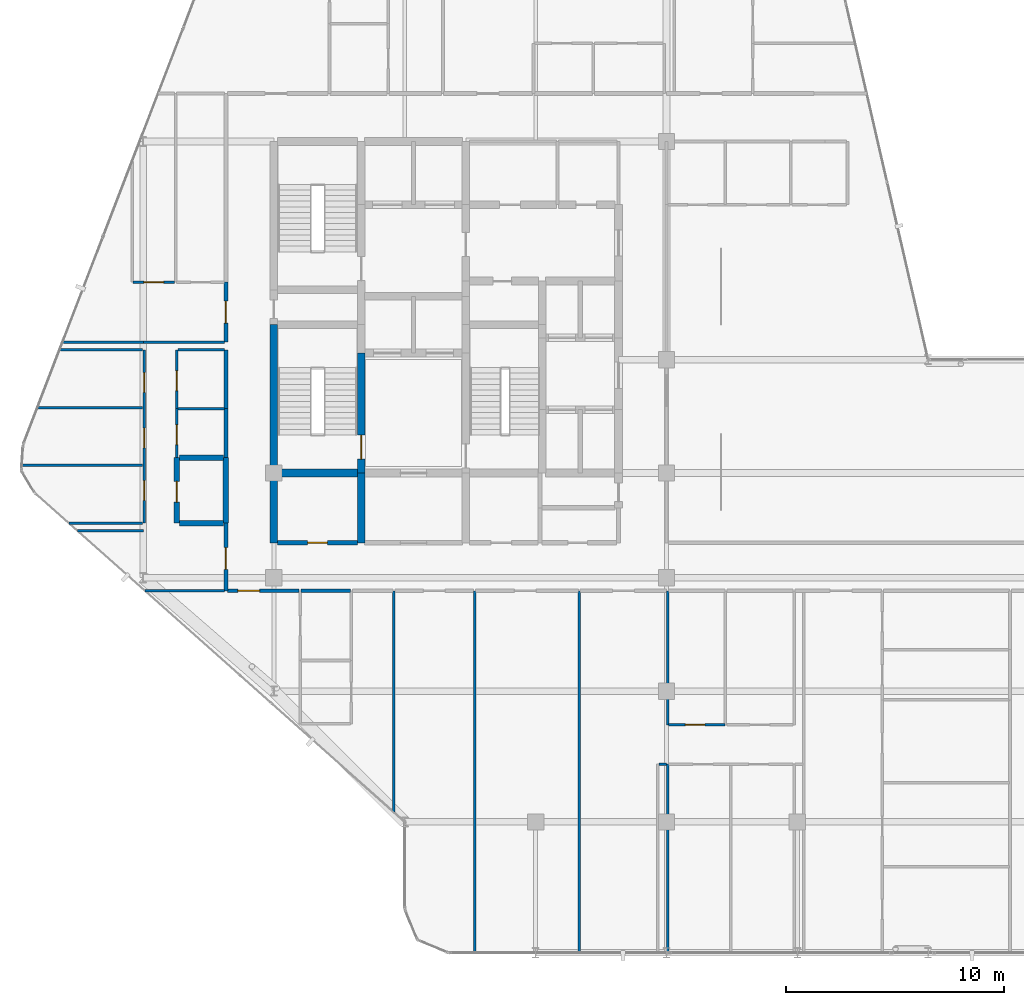
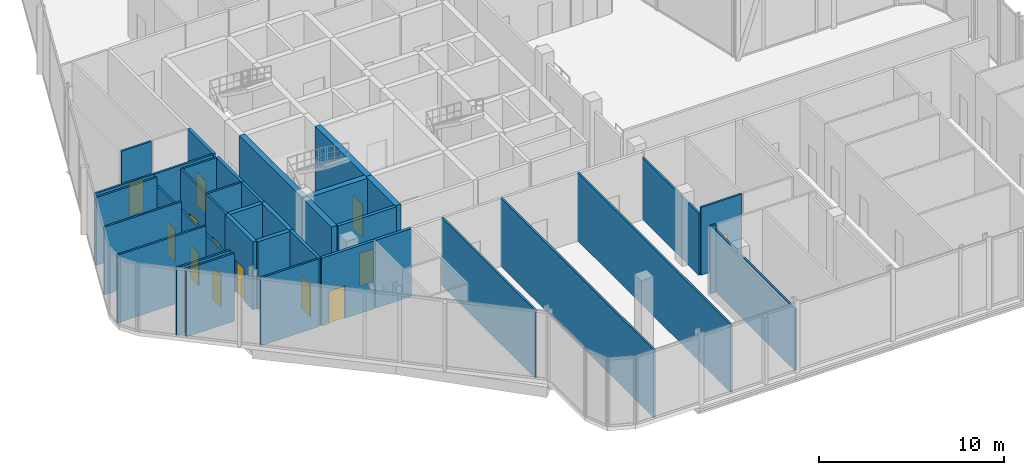
# One storey, part 23 of 29: 37 walls, 13 doors, 13 openings.
"""IFC4 building model written with IfcOpenShell, lengths in metres."""

from ifc_helpers import new_model, si_unit, direction, frame, frame_2d, origin, place, context, subcontext, project, spatial, rectangle, extrude, material, layer, layer_set, type_object, element, fill, save


model = new_model("IFC4")

# Units and contexts
model_context = context("Model", 3, precision=1e-05, world=origin(), true_north=direction((0.0, 1.0)))
body_context = subcontext(model_context, "Body", "Model", "MODEL_VIEW")
ifc_project = project(units=[si_unit("LENGTHUNIT", "METRE"), si_unit("AREAUNIT", "SQUARE_METRE"), si_unit("VOLUMEUNIT", "CUBIC_METRE"), si_unit("PLANEANGLEUNIT", "RADIAN"), si_unit("MASSUNIT", "GRAM", prefix="KILO")], contexts=[model_context])

# Site, building, storey
site_placement = place(None, origin())
site = spatial("IfcSite", under=ifc_project, at=site_placement, CompositionType="ELEMENT")
building_placement = place(site_placement, origin())
building = spatial("IfcBuilding", under=site, at=building_placement, Name="Keshet Zoharim Tower", CompositionType="ELEMENT")
storey_placement = place(building_placement, frame((0.0, 0.0, 218.0)))
storey = spatial("IfcBuildingStorey", under=building, at=storey_placement, Name="L54", CompositionType="ELEMENT", Elevation=218.0)

# Walls
ifc_material_1 = material(Name="Concrete C60/75", Category="concrete")
ifc_layer_1 = layer(ifc_material_1, 0.35009765625)
ifc_layer_set_1 = layer_set([ifc_layer_1], Name="Concrete C60/75")
wall_type_1 = type_object("IfcWallType", Name="WL-CORE-350", PredefinedType="SHEAR", material=ifc_layer_set_1)
wall_1_placement = place(storey_placement, frame((15.0, 19.5, 0.0), z_axis=(0.0, 0.0, 1.0), x_axis=(0.0, 1.0, 0.0)))
element("IfcWall", 1, at=wall_1_placement, inside=storey, type_object=wall_type_1, Name="L54 Core Shear Wall 013", PredefinedType="SHEAR", context=body_context, shape_type="SweptSolid", body=[
    extrude(rectangle(XDim=3.199951171875, YDim=0.35009765625, at=frame_2d((1.60009765625, 0.0))), origin(), (0.0, 0.0, 1.0), 4.489990234375),
])
wall_2_placement = place(storey_placement, frame((15.0, 22.699951171875, 0.0), z_axis=(0.0, 0.0, 1.0), x_axis=(0.0, 1.0, 0.0)))
element("IfcWall", 2, at=wall_2_placement, inside=storey, type_object=wall_type_1, Name="L54 Core Shear Wall 014", PredefinedType="SHEAR", context=body_context, shape_type="SweptSolid", body=[
    extrude(rectangle(XDim=6.800048828125, YDim=0.35009765625, at=frame_2d((3.39990234375, 0.0))), origin(), (0.0, 0.0, 1.0), 4.489990234375),
])
wall_3_placement = place(storey_placement, frame((19.0, 19.5, 0.0), z_axis=(0.0, 0.0, 1.0), x_axis=(0.0, 1.0, 0.0)))
element("IfcWall", 3, at=wall_3_placement, inside=storey, type_object=wall_type_1, Name="L54 Core Shear Wall 023", PredefinedType="SHEAR", context=body_context, shape_type="SweptSolid", body=[
    extrude(rectangle(XDim=3.199951171875, YDim=0.35009765625, at=frame_2d((1.60009765625, 0.0))), origin(), (0.0, 0.0, 1.0), 4.489990234375),
])

# Wall, opening, door
wall_4_placement = place(storey_placement, frame((19.0, 22.699951171875, 0.0), z_axis=(0.0, 0.0, 1.0), x_axis=(0.0, 1.0, 0.0)))
wall_4 = element("IfcWall", 4, at=wall_4_placement, inside=storey, type_object=wall_type_1, Name="L54 Core Shear Wall 024", PredefinedType="SHEAR", context=body_context, shape_type="SweptSolid", body=[
    extrude(rectangle(XDim=5.5, YDim=0.35009765625, at=frame_2d((2.75, 0.0))), origin(), (0.0, 0.0, 1.0), 4.489990234375),
])
opening_1_placement = place(wall_4_placement, frame((0.631103515625, 0.0, 0.0)))
opening_1 = element("IfcOpeningElement", 5, at=opening_1_placement, cuts=wall_4, Name="Opening D-F611", PredefinedType="OPENING", context=body_context, shape_type="SweptSolid", body=[
    extrude(rectangle(XDim=1.10009765625, YDim=2.14990234375, at=frame_2d((0.550048828125, 1.074951171875))), frame((0.0, 0.18505859375, 0.0), z_axis=(0.0, -1.0, 0.0), x_axis=(1.0, 0.0, 0.0)), (0.0, 0.0, 1.0), 0.3701171875),
])
ifc_material_2 = material(Name="Hardwood Timber", Category="wood")
door_type_1 = type_object("IfcDoorType", Name="DR-FD60-110", OperationType="NOTDEFINED", PredefinedType="DOOR", material=ifc_material_2)
door_1_placement = place(opening_1_placement, origin())
door_1 = element("IfcDoor", 6, at=door_1_placement, inside=storey, type_object=door_type_1, Name="L54 Exit Stair ST-01 Fire Door", OperationType="SINGLE_SWING_RIGHT", OverallHeight=2.14990234375, OverallWidth=1.10009765625, PredefinedType="DOOR", context=body_context, shape_type="SweptSolid", body=[
    extrude(rectangle(XDim=1.10009765625, YDim=2.14990234375, at=frame_2d((0.550048828125, 1.074951171875))), frame((0.0, 0.02490234375, 0.0), z_axis=(0.0, -1.0, 0.0), x_axis=(1.0, 0.0, 0.0)), (0.0, 0.0, 1.0), 0.050048828125),
])
fill(opening_1, door_1)

# Wall
wall_5_placement = place(storey_placement, frame((15.159912109375, 22.699951171875, 0.0), z_axis=(0.0, 0.0, 1.0), x_axis=(1.0, 0.0, 0.0)))
element("IfcWall", 7, at=wall_5_placement, inside=storey, type_object=wall_type_1, Name="L54 Core Shear Wall 128", PredefinedType="SHEAR", context=body_context, shape_type="SweptSolid", body=[
    extrude(rectangle(XDim=3.68017578125, YDim=0.35009765625, at=frame_2d((1.840087890625, 0.0))), origin(), (0.0, 0.0, 1.0), 4.489990234375),
])

# Wall, opening, door
ifc_material_3 = material(Name="Gypsum Plasterboard", Category="gypsum")
ifc_layer_2 = layer(ifc_material_3, 0.179931640625)
ifc_layer_set_2 = layer_set([ifc_layer_2], Name="Gypsum Plasterboard")
wall_type_2 = type_object("IfcWallType", Name="WL-CORR-180", PredefinedType="STANDARD", material=ifc_layer_set_2)
wall_6_placement = place(storey_placement, frame((12.800048828125, 17.300048828125, 0.0), z_axis=(0.0, 0.0, 1.0), x_axis=(0.0, 1.0, 0.0)))
wall_6 = element("IfcWall", 8, at=wall_6_placement, inside=storey, type_object=wall_type_2, Name="L54 Interior Wall 007", PredefinedType="STANDARD", context=body_context, shape_type="SweptSolid", body=[
    extrude(rectangle(XDim=3.099853515625, YDim=0.179931640625, at=frame_2d((1.5498046875, 0.0))), origin(), (0.0, 0.0, 1.0), 4.489990234375),
])
opening_2_placement = place(wall_6_placement, frame((0.97802734375, 0.0, 0.0)))
opening_2 = element("IfcOpeningElement", 9, at=opening_2_placement, cuts=wall_6, Name="Opening D-F310", PredefinedType="OPENING", context=body_context, shape_type="SweptSolid", body=[
    extrude(rectangle(XDim=1.0, YDim=2.14990234375, at=frame_2d((0.5, 1.074951171875))), frame((0.0, 0.10009765625, 0.0), z_axis=(0.0, -1.0, 0.0), x_axis=(1.0, 0.0, 0.0)), (0.0, 0.0, 1.0), 0.199951171875),
])
door_type_2 = type_object("IfcDoorType", Name="DR-FD30-100", OperationType="NOTDEFINED", PredefinedType="DOOR", material=ifc_material_2)
door_2_placement = place(opening_2_placement, origin())
door_2 = element("IfcDoor", 10, at=door_2_placement, inside=storey, type_object=door_type_2, Name="Apartment 5408 Entrance Door", OperationType="SINGLE_SWING_RIGHT", OverallHeight=2.14990234375, OverallWidth=1.0, PredefinedType="DOOR", context=body_context, shape_type="SweptSolid", body=[
    extrude(rectangle(XDim=1.0, YDim=2.14990234375, at=frame_2d((0.5, 1.074951171875))), frame((0.0, 0.02490234375, 0.0), z_axis=(0.0, -1.0, 0.0), x_axis=(1.0, 0.0, 0.0)), (0.0, 0.0, 1.0), 0.050048828125),
])
fill(opening_2, door_2)

# Walls
wall_7_placement = place(storey_placement, frame((12.800048828125, 23.4208984375, 0.0), z_axis=(0.0, 0.0, 1.0), x_axis=(0.0, 1.0, 0.0)))
element("IfcWall", 11, at=wall_7_placement, inside=storey, type_object=wall_type_2, Name="L54 Interior Wall 009", PredefinedType="STANDARD", context=body_context, shape_type="SweptSolid", body=[
    extrude(rectangle(XDim=2.22607421875, YDim=0.179931640625, at=frame_2d((1.113037109375, 0.0))), origin(), (0.0, 0.0, 1.0), 4.489990234375),
])
wall_8_placement = place(storey_placement, frame((12.800048828125, 25.64697265625, 0.0), z_axis=(0.0, 0.0, 1.0), x_axis=(0.0, 1.0, 0.0)))
element("IfcWall", 12, at=wall_8_placement, inside=storey, type_object=wall_type_2, Name="L54 Interior Wall 010", PredefinedType="STANDARD", context=body_context, shape_type="SweptSolid", body=[
    extrude(rectangle(XDim=2.703125, YDim=0.179931640625, at=frame_2d((1.3515625, 0.0))), origin(), (0.0, 0.0, 1.0), 4.489990234375),
])

# Wall, opening, door
wall_9_placement = place(storey_placement, frame((12.800048828125, 28.699951171875, 0.0), z_axis=(0.0, 0.0, 1.0), x_axis=(0.0, 1.0, 0.0)))
wall_9 = element("IfcWall", 13, at=wall_9_placement, inside=storey, type_object=wall_type_2, Name="L54 Interior Wall 011", PredefinedType="STANDARD", context=body_context, shape_type="SweptSolid", body=[
    extrude(rectangle(XDim=2.75, YDim=0.179931640625, at=frame_2d((1.375, 0.0))), origin(), (0.0, 0.0, 1.0), 4.489990234375),
])
opening_3_placement = place(wall_9_placement, frame((0.875, 0.0, 0.0)))
opening_3 = element("IfcOpeningElement", 14, at=opening_3_placement, cuts=wall_9, Name="Opening D-F310", PredefinedType="OPENING", context=body_context, shape_type="SweptSolid", body=[
    extrude(rectangle(XDim=1.0, YDim=2.14990234375, at=frame_2d((0.5, 1.074951171875))), frame((0.0, 0.10009765625, 0.0), z_axis=(0.0, -1.0, 0.0), x_axis=(1.0, 0.0, 0.0)), (0.0, 0.0, 1.0), 0.199951171875),
])
door_3_placement = place(opening_3_placement, origin())
door_3 = element("IfcDoor", 15, at=door_3_placement, inside=storey, type_object=door_type_2, Name="Apartment 5409 Entrance Door", OperationType="SINGLE_SWING_LEFT", OverallHeight=2.14990234375, OverallWidth=1.0, PredefinedType="DOOR", context=body_context, shape_type="SweptSolid", body=[
    extrude(rectangle(XDim=1.0, YDim=2.14990234375, at=frame_2d((0.5, 1.074951171875))), frame((0.0, 0.02490234375, 0.0), z_axis=(0.0, -1.0, 0.0), x_axis=(1.0, 0.0, 0.0)), (0.0, 0.0, 1.0), 0.050048828125),
])
fill(opening_3, door_3)

wall_10_placement = place(storey_placement, frame((12.875, 17.300048828125, 0.0), z_axis=(0.0, 0.0, 1.0), x_axis=(1.0, 0.0, 0.0)))
wall_10 = element("IfcWall", 16, at=wall_10_placement, inside=storey, type_object=wall_type_2, Name="L54 Interior Wall 107", PredefinedType="STANDARD", context=body_context, shape_type="SweptSolid", body=[
    extrude(rectangle(XDim=3.280029296875, YDim=0.179931640625, at=frame_2d((1.64013671875, 0.0))), origin(), (0.0, 0.0, 1.0), 4.489990234375),
])
opening_4_placement = place(wall_10_placement, frame((0.470947265625, 0.0, 0.0)))
opening_4 = element("IfcOpeningElement", 17, at=opening_4_placement, cuts=wall_10, Name="Opening D-F310", PredefinedType="OPENING", context=body_context, shape_type="SweptSolid", body=[
    extrude(rectangle(XDim=1.0, YDim=2.14990234375, at=frame_2d((0.5, 1.074951171875))), frame((0.0, 0.10009765625, 0.0), z_axis=(0.0, -1.0, 0.0), x_axis=(1.0, 0.0, 0.0)), (0.0, 0.0, 1.0), 0.199951171875),
])
door_4_placement = place(opening_4_placement, origin())
door_4 = element("IfcDoor", 18, at=door_4_placement, inside=storey, type_object=door_type_2, Name="Apartment 5401 Entrance Door", OperationType="SINGLE_SWING_RIGHT", OverallHeight=2.14990234375, OverallWidth=1.0, PredefinedType="DOOR", context=body_context, shape_type="SweptSolid", body=[
    extrude(rectangle(XDim=1.0, YDim=2.14990234375, at=frame_2d((0.5, 1.074951171875))), frame((0.0, 0.02490234375, 0.0), z_axis=(0.0, -1.0, 0.0), x_axis=(1.0, 0.0, 0.0)), (0.0, 0.0, 1.0), 0.050048828125),
])
fill(opening_4, door_4)

# Wall
wall_11_placement = place(storey_placement, frame((16.2451171875, 17.300048828125, 0.0), z_axis=(0.0, 0.0, 1.0), x_axis=(1.0, 0.0, 0.0)))
element("IfcWall", 19, at=wall_11_placement, inside=storey, type_object=wall_type_2, Name="L54 Interior Wall 108", PredefinedType="STANDARD", context=body_context, shape_type="SweptSolid", body=[
    extrude(rectangle(XDim=2.259765625, YDim=0.179931640625, at=frame_2d((1.1298828125, 0.0))), origin(), (0.0, 0.0, 1.0), 4.489990234375),
])

# Wall, opening, door
ifc_material_4 = material(Name="Concrete C50/60", Category="concrete")
ifc_layer_3 = layer(ifc_material_4, 0.199951171875)
ifc_layer_set_3 = layer_set([ifc_layer_3], Name="Concrete C50/60")
wall_type_3 = type_object("IfcWallType", Name="WL-FIRE-200", PredefinedType="STANDARD", material=ifc_layer_set_3)
wall_12_placement = place(storey_placement, frame((15.159912109375, 19.5, 0.0), z_axis=(0.0, 0.0, 1.0), x_axis=(1.0, 0.0, 0.0)))
wall_12 = element("IfcWall", 20, at=wall_12_placement, inside=storey, type_object=wall_type_3, Name="L54 Interior Wall 119", PredefinedType="STANDARD", context=body_context, shape_type="SweptSolid", body=[
    extrude(rectangle(XDim=3.68017578125, YDim=0.199951171875, at=frame_2d((1.840087890625, 0.0))), origin(), (0.0, 0.0, 1.0), 4.489990234375),
])
opening_5_placement = place(wall_12_placement, frame((1.389892578125, 0.0, 0.0)))
opening_5 = element("IfcOpeningElement", 21, at=opening_5_placement, cuts=wall_12, Name="Opening D-F690", PredefinedType="OPENING", context=body_context, shape_type="SweptSolid", body=[
    extrude(rectangle(XDim=0.89990234375, YDim=2.14990234375, at=frame_2d((0.449951171875, 1.074951171875))), frame((0.0, 0.10986328125, 0.0), z_axis=(0.0, -1.0, 0.0), x_axis=(1.0, 0.0, 0.0)), (0.0, 0.0, 1.0), 0.219970703125),
])
door_type_3 = type_object("IfcDoorType", Name="DR-FD60-090", OperationType="NOTDEFINED", PredefinedType="DOOR", material=ifc_material_2)
door_5_placement = place(opening_5_placement, origin())
door_5 = element("IfcDoor", 22, at=door_5_placement, inside=storey, type_object=door_type_3, Name="L54 Refuse Store Door", OperationType="SINGLE_SWING_RIGHT", OverallHeight=2.14990234375, OverallWidth=0.89990234375, PredefinedType="DOOR", context=body_context, shape_type="SweptSolid", body=[
    extrude(rectangle(XDim=0.89990234375, YDim=2.14990234375, at=frame_2d((0.449951171875, 1.074951171875))), frame((0.0, 0.02490234375, 0.0), z_axis=(0.0, -1.0, 0.0), x_axis=(1.0, 0.0, 0.0)), (0.0, 0.0, 1.0), 0.050048828125),
])
fill(opening_5, door_5)

ifc_layer_4 = layer(ifc_material_4, 0.25)
ifc_layer_set_4 = layer_set([ifc_layer_4], Name="Concrete C50/60")
wall_type_4 = type_object("IfcWallType", Name="WL-MAMAD-250", PredefinedType="STANDARD", material=ifc_layer_set_4)
wall_13_placement = place(storey_placement, frame((10.550048828125, 20.39990234375, 0.0), z_axis=(0.0, 0.0, 1.0), x_axis=(0.0, 1.0, 0.0)))
wall_13 = element("IfcWall", 23, at=wall_13_placement, inside=storey, type_object=wall_type_4, Name="L54 Interior Wall 004", PredefinedType="STANDARD", context=body_context, shape_type="SweptSolid", body=[
    extrude(rectangle(XDim=3.02099609375, YDim=0.25, at=frame_2d((1.510498046875, 0.0))), origin(), (0.0, 0.0, 1.0), 4.489990234375),
])
opening_6_placement = place(wall_13_placement, frame((0.964111328125, 0.0, 0.0)))
opening_6 = element("IfcOpeningElement", 24, at=opening_6_placement, cuts=wall_13, Name="Opening D-F695", PredefinedType="OPENING", context=body_context, shape_type="SweptSolid", body=[
    extrude(rectangle(XDim=0.949951171875, YDim=2.14990234375, at=frame_2d((0.47509765625, 1.074951171875))), frame((0.0, 0.135009765625, 0.0), z_axis=(0.0, -1.0, 0.0), x_axis=(1.0, 0.0, 0.0)), (0.0, 0.0, 1.0), 0.27001953125),
])
door_type_4 = type_object("IfcDoorType", Name="DR-FD60-095", OperationType="NOTDEFINED", PredefinedType="DOOR", material=ifc_material_2)
door_6_placement = place(opening_6_placement, origin())
door_6 = element("IfcDoor", 25, at=door_6_placement, inside=storey, type_object=door_type_4, Name="Apartment 5408 Study and Shelter Room Door", OperationType="SINGLE_SWING_LEFT", OverallHeight=2.14990234375, OverallWidth=0.949951171875, PredefinedType="DOOR", context=body_context, shape_type="SweptSolid", body=[
    extrude(rectangle(XDim=0.949951171875, YDim=2.14990234375, at=frame_2d((0.47509765625, 1.074951171875))), frame((0.0, 0.02490234375, 0.0), z_axis=(0.0, -1.0, 0.0), x_axis=(1.0, 0.0, 0.0)), (0.0, 0.0, 1.0), 0.050048828125),
])
fill(opening_6, door_6)

# Walls
wall_14_placement = place(storey_placement, frame((12.800048828125, 20.39990234375, 0.0), z_axis=(0.0, 0.0, 1.0), x_axis=(0.0, 1.0, 0.0)))
element("IfcWall", 26, at=wall_14_placement, inside=storey, type_object=wall_type_4, Name="L54 Interior Wall 008", PredefinedType="STANDARD", context=body_context, shape_type="SweptSolid", body=[
    extrude(rectangle(XDim=3.02099609375, YDim=0.25, at=frame_2d((1.510498046875, 0.0))), origin(), (0.0, 0.0, 1.0), 4.489990234375),
])
for number, where, z_axis, x_axis, name in (
    (27, (10.659912109375, 20.39990234375, 0.0), (0.0, 0.0, 1.0), (1.0, 0.0, 0.0), "L54 Interior Wall 126"),
    (28, (10.659912109375, 23.39990234375, 0.0), (0.0, 0.0, 1.0), (1.0, 0.0, 0.0), "L54 Interior Wall 133"),
):
    element("IfcWall", number, at=place(storey_placement, frame(where, z_axis=z_axis, x_axis=x_axis)), inside=storey, type_object=wall_type_4, Name=name, PredefinedType="STANDARD", context=body_context, shape_type="SweptSolid", body=[
        extrude(rectangle(XDim=2.030029296875, YDim=0.25, at=frame_2d((1.01513671875, 0.0))), origin(), (0.0, 0.0, 1.0), 4.489990234375),
    ])

# Wall, openings, doors
ifc_layer_5 = layer(ifc_material_3, 0.1201171875)
ifc_layer_set_5 = layer_set([ifc_layer_5], Name="Gypsum Plasterboard")
wall_type_5 = type_object("IfcWallType", Name="WL-PART-120", PredefinedType="PARTITIONING", material=ifc_layer_set_5)
wall_15_placement = place(storey_placement, frame((9.050048828125, 20.39990234375, 0.0), z_axis=(0.0, 0.0, 1.0), x_axis=(0.0, 1.0, 0.0)))
wall_15 = element("IfcWall", 29, at=wall_15_placement, inside=storey, type_object=wall_type_5, Name="L54 Interior Wall 002", PredefinedType="PARTITIONING", context=body_context, shape_type="SweptSolid", body=[
    extrude(rectangle(XDim=7.9501953125, YDim=0.1201171875, at=frame_2d((3.97509765625, 0.0))), origin(), (0.0, 0.0, 1.0), 3.889892578125),
])
opening_7_placement = place(wall_15_placement, frame((1.050048828125, 0.0, 0.0)))
opening_7 = element("IfcOpeningElement", 30, at=opening_7_placement, cuts=wall_15, Name="Opening D-IN90", PredefinedType="OPENING", context=body_context, shape_type="SweptSolid", body=[
    extrude(rectangle(XDim=0.89990234375, YDim=2.14990234375, at=frame_2d((0.449951171875, 1.074951171875))), frame((0.0, 0.070068359375, 0.0), z_axis=(0.0, -1.0, 0.0), x_axis=(1.0, 0.0, 0.0)), (0.0, 0.0, 1.0), 0.14013671875),
])
opening_8_placement = place(wall_15_placement, frame((3.455078125, 0.0, 0.0)))
opening_8 = element("IfcOpeningElement", 31, at=opening_8_placement, cuts=wall_15, Name="Opening D-IN90", PredefinedType="OPENING", context=body_context, shape_type="SweptSolid", body=[
    extrude(rectangle(XDim=0.89990234375, YDim=2.14990234375, at=frame_2d((0.449951171875, 1.074951171875))), frame((0.0, 0.070068359375, 0.0), z_axis=(0.0, -1.0, 0.0), x_axis=(1.0, 0.0, 0.0)), (0.0, 0.0, 1.0), 0.14013671875),
])
opening_9_placement = place(wall_15_placement, frame((6.0, 0.0, 0.0)))
opening_9 = element("IfcOpeningElement", 32, at=opening_9_placement, cuts=wall_15, Name="Opening D-IN90", PredefinedType="OPENING", context=body_context, shape_type="SweptSolid", body=[
    extrude(rectangle(XDim=0.89990234375, YDim=2.14990234375, at=frame_2d((0.449951171875, 1.074951171875))), frame((0.0, 0.070068359375, 0.0), z_axis=(0.0, -1.0, 0.0), x_axis=(1.0, 0.0, 0.0)), (0.0, 0.0, 1.0), 0.14013671875),
])
door_type_5 = type_object("IfcDoorType", Name="DR-INT-090", OperationType="NOTDEFINED", PredefinedType="DOOR", material=ifc_material_2)
door_7_placement = place(opening_7_placement, origin())
door_7 = element("IfcDoor", 33, at=door_7_placement, inside=storey, type_object=door_type_5, Name="Apartment 5408 Bedroom 1 Door", OperationType="SINGLE_SWING_RIGHT", OverallHeight=2.14990234375, OverallWidth=0.89990234375, PredefinedType="DOOR", context=body_context, shape_type="SweptSolid", body=[
    extrude(rectangle(XDim=0.89990234375, YDim=2.14990234375, at=frame_2d((0.449951171875, 1.074951171875))), frame((0.0, 0.02490234375, 0.0), z_axis=(0.0, -1.0, 0.0), x_axis=(1.0, 0.0, 0.0)), (0.0, 0.0, 1.0), 0.050048828125),
])
fill(opening_7, door_7)
door_8_placement = place(opening_8_placement, origin())
door_8 = element("IfcDoor", 34, at=door_8_placement, inside=storey, type_object=door_type_5, Name="Apartment 5408 Bedroom 2 Door", OperationType="SINGLE_SWING_LEFT", OverallHeight=2.14990234375, OverallWidth=0.89990234375, PredefinedType="DOOR", context=body_context, shape_type="SweptSolid", body=[
    extrude(rectangle(XDim=0.89990234375, YDim=2.14990234375, at=frame_2d((0.449951171875, 1.074951171875))), frame((0.0, 0.02490234375, 0.0), z_axis=(0.0, -1.0, 0.0), x_axis=(1.0, 0.0, 0.0)), (0.0, 0.0, 1.0), 0.050048828125),
])
fill(opening_8, door_8)
door_9_placement = place(opening_9_placement, origin())
door_9 = element("IfcDoor", 35, at=door_9_placement, inside=storey, type_object=door_type_5, Name="Apartment 5408 Bedroom 3 Door", OperationType="SINGLE_SWING_RIGHT", OverallHeight=2.14990234375, OverallWidth=0.89990234375, PredefinedType="DOOR", context=body_context, shape_type="SweptSolid", body=[
    extrude(rectangle(XDim=0.89990234375, YDim=2.14990234375, at=frame_2d((0.449951171875, 1.074951171875))), frame((0.0, 0.02490234375, 0.0), z_axis=(0.0, -1.0, 0.0), x_axis=(1.0, 0.0, 0.0)), (0.0, 0.0, 1.0), 0.050048828125),
])
fill(opening_9, door_9)

# Wall, opening, door
wall_16_placement = place(storey_placement, frame((10.550048828125, 25.64697265625, 0.0), z_axis=(0.0, 0.0, 1.0), x_axis=(0.0, 1.0, 0.0)))
wall_16 = element("IfcWall", 36, at=wall_16_placement, inside=storey, type_object=wall_type_5, Name="L54 Interior Wall 006", PredefinedType="PARTITIONING", context=body_context, shape_type="SweptSolid", body=[
    extrude(rectangle(XDim=2.703125, YDim=0.1201171875, at=frame_2d((1.3515625, 0.0))), origin(), (0.0, 0.0, 1.0), 4.489990234375),
])
opening_10_placement = place(wall_16_placement, frame((0.830078125, 0.0, 0.0)))
opening_10 = element("IfcOpeningElement", 37, at=opening_10_placement, cuts=wall_16, Name="Opening D-IN90", PredefinedType="OPENING", context=body_context, shape_type="SweptSolid", body=[
    extrude(rectangle(XDim=0.89990234375, YDim=2.14990234375, at=frame_2d((0.449951171875, 1.074951171875))), frame((0.0, 0.070068359375, 0.0), z_axis=(0.0, -1.0, 0.0), x_axis=(1.0, 0.0, 0.0)), (0.0, 0.0, 1.0), 0.14013671875),
])
door_10_placement = place(opening_10_placement, origin())
door_10 = element("IfcDoor", 38, at=door_10_placement, inside=storey, type_object=door_type_5, Name="Apartment 5408 Kitchen Door", OperationType="SINGLE_SWING_LEFT", OverallHeight=2.14990234375, OverallWidth=0.89990234375, PredefinedType="DOOR", context=body_context, shape_type="SweptSolid", body=[
    extrude(rectangle(XDim=0.89990234375, YDim=2.14990234375, at=frame_2d((0.449951171875, 1.074951171875))), frame((0.0, 0.02490234375, 0.0), z_axis=(0.0, -1.0, 0.0), x_axis=(1.0, 0.0, 0.0)), (0.0, 0.0, 1.0), 0.050048828125),
])
fill(opening_10, door_10)

# Walls
wall_17_placement = place(storey_placement, frame((20.5, 7.154052734375, 0.0), z_axis=(0.0, 0.0, 1.0), x_axis=(0.0, 1.0, 0.0)))
element("IfcWall", 39, at=wall_17_placement, inside=storey, type_object=wall_type_5, Name="L54 Interior Wall 030", PredefinedType="PARTITIONING", context=body_context, shape_type="SweptSolid", body=[
    extrude(rectangle(XDim=10.14599609375, YDim=0.1201171875, at=frame_2d((5.072998046875, 0.0))), origin(), (0.0, 0.0, 1.0), 4.489990234375),
])
for number, where, z_axis, x_axis, name in (
    (40, (24.199951171875, 0.7099609375, 0.0), (0.0, 0.0, 1.0), (0.0, 1.0, 0.0), "L54 Interior Wall 041"),
    (41, (29.0, 0.7099609375, 0.0), (0.0, 0.0, 1.0), (0.0, 1.0, 0.0), "L54 Interior Wall 052"),
):
    element("IfcWall", number, at=place(storey_placement, frame(where, z_axis=z_axis, x_axis=x_axis)), inside=storey, type_object=wall_type_5, Name=name, PredefinedType="PARTITIONING", context=body_context, shape_type="SweptSolid", body=[
        extrude(rectangle(XDim=16.590087890625, YDim=0.1201171875, at=frame_2d((8.294921875, 0.0))), origin(), (0.0, 0.0, 1.0), 4.489990234375),
    ])
wall_18_placement = place(storey_placement, frame((33.050048828125, 0.7099609375, 0.0), z_axis=(0.0, 0.0, 1.0), x_axis=(0.0, 1.0, 0.0)))
element("IfcWall", 42, at=wall_18_placement, inside=storey, type_object=wall_type_5, Name="L54 Interior Wall 069", PredefinedType="PARTITIONING", context=body_context, shape_type="SweptSolid", body=[
    extrude(rectangle(XDim=8.64013671875, YDim=0.1201171875, at=frame_2d((4.320068359375, 0.0))), origin(), (0.0, 0.0, 1.0), 4.090087890625),
])
wall_19_placement = place(storey_placement, frame((33.050048828125, 11.14990234375, 0.0), z_axis=(0.0, 0.0, 1.0), x_axis=(0.0, 1.0, 0.0)))
element("IfcWall", 43, at=wall_19_placement, inside=storey, type_object=wall_type_5, Name="L54 Interior Wall 070", PredefinedType="PARTITIONING", context=body_context, shape_type="SweptSolid", body=[
    extrude(rectangle(XDim=6.150146484375, YDim=0.1201171875, at=frame_2d((3.0751953125, 0.0))), origin(), (0.0, 0.0, 1.0), 4.090087890625),
])
wall_20_placement = place(storey_placement, frame((32.64501953125, 9.35009765625, 0.0), z_axis=(0.0, 0.0, 1.0), x_axis=(1.0, 0.0, 0.0)))
element("IfcWall", 44, at=wall_20_placement, inside=storey, type_object=wall_type_5, Name="L54 Interior Wall 095", PredefinedType="PARTITIONING", context=body_context, shape_type="SweptSolid", body=[
    extrude(rectangle(XDim=0.35986328125, YDim=0.1201171875, at=frame_2d((0.179931640625, 0.0))), origin(), (0.0, 0.0, 1.0), 4.489990234375),
])

# Wall, opening, door
wall_21_placement = place(storey_placement, frame((33.094970703125, 11.14990234375, 0.0), z_axis=(0.0, 0.0, 1.0), x_axis=(1.0, 0.0, 0.0)))
wall_21 = element("IfcWall", 45, at=wall_21_placement, inside=storey, type_object=wall_type_5, Name="L54 Interior Wall 098", PredefinedType="PARTITIONING", context=body_context, shape_type="SweptSolid", body=[
    extrude(rectangle(XDim=2.578125, YDim=0.1201171875, at=frame_2d((1.2890625, 0.0))), origin(), (0.0, 0.0, 1.0), 4.489990234375),
])
opening_11_placement = place(wall_21_placement, frame((0.76904296875, 0.0, 0.0)))
opening_11 = element("IfcOpeningElement", 46, at=opening_11_placement, cuts=wall_21, Name="Opening D-IN90", PredefinedType="OPENING", context=body_context, shape_type="SweptSolid", body=[
    extrude(rectangle(XDim=0.89990234375, YDim=2.14990234375, at=frame_2d((0.449951171875, 1.074951171875))), frame((0.0, 0.070068359375, 0.0), z_axis=(0.0, -1.0, 0.0), x_axis=(1.0, 0.0, 0.0)), (0.0, 0.0, 1.0), 0.14013671875),
])
door_11_placement = place(opening_11_placement, origin())
door_11 = element("IfcDoor", 47, at=door_11_placement, inside=storey, type_object=door_type_5, Name="Apartment 5402 Kitchen Door", OperationType="SINGLE_SWING_RIGHT", OverallHeight=2.14990234375, OverallWidth=0.89990234375, PredefinedType="DOOR", context=body_context, shape_type="SweptSolid", body=[
    extrude(rectangle(XDim=0.89990234375, YDim=2.14990234375, at=frame_2d((0.449951171875, 1.074951171875))), frame((0.0, 0.02490234375, 0.0), z_axis=(0.0, -1.0, 0.0), x_axis=(1.0, 0.0, 0.0)), (0.0, 0.0, 1.0), 0.050048828125),
])
fill(opening_11, door_11)

# Walls
wall_22_placement = place(storey_placement, frame((9.0849609375, 17.300048828125, 0.0), z_axis=(0.0, 0.0, 1.0), x_axis=(1.0, 0.0, 0.0)))
element("IfcWall", 48, at=wall_22_placement, inside=storey, type_object=wall_type_5, Name="L54 Interior Wall 106", PredefinedType="PARTITIONING", context=body_context, shape_type="SweptSolid", body=[
    extrude(rectangle(XDim=3.64013671875, YDim=0.1201171875, at=frame_2d((1.820068359375, 0.0))), origin(), (0.0, 0.0, 1.0), 4.489990234375),
])
wall_23_placement = place(storey_placement, frame((5.990966796875, 20.050048828125, 0.0), z_axis=(0.0, 0.0, 1.0), x_axis=(1.0, 0.0, 0.0)))
element("IfcWall", 49, at=wall_23_placement, inside=storey, type_object=wall_type_5, Name="L54 Interior Wall 124", PredefinedType="PARTITIONING", context=body_context, shape_type="SweptSolid", body=[
    extrude(rectangle(XDim=3.0390625, YDim=0.1201171875, at=frame_2d((1.51953125, 0.0))), origin(), (0.0, 0.0, 1.0), 4.489990234375),
])
wall_24_placement = place(storey_placement, frame((5.596923828125, 20.39990234375, 0.0), z_axis=(0.0, 0.0, 1.0), x_axis=(1.0, 0.0, 0.0)))
element("IfcWall", 50, at=wall_24_placement, inside=storey, type_object=wall_type_5, Name="L54 Interior Wall 125", PredefinedType="PARTITIONING", context=body_context, shape_type="SweptSolid", body=[
    extrude(rectangle(XDim=3.38818359375, YDim=0.1201171875, at=frame_2d((1.694091796875, 0.0))), origin(), (0.0, 0.0, 1.0), 4.489990234375),
])
wall_25_placement = place(storey_placement, frame((3.446044921875, 23.050048828125, 0.0), z_axis=(0.0, 0.0, 1.0), x_axis=(1.0, 0.0, 0.0)))
element("IfcWall", 51, at=wall_25_placement, inside=storey, type_object=wall_type_5, Name="L54 Interior Wall 132", PredefinedType="PARTITIONING", context=body_context, shape_type="SweptSolid", body=[
    extrude(rectangle(XDim=5.5390625, YDim=0.1201171875, at=frame_2d((2.76953125, 0.0))), origin(), (0.0, 0.0, 1.0), 4.489990234375),
])
wall_26_placement = place(storey_placement, frame((4.1640625, 25.699951171875, 0.0), z_axis=(0.0, 0.0, 1.0), x_axis=(1.0, 0.0, 0.0)))
element("IfcWall", 52, at=wall_26_placement, inside=storey, type_object=wall_type_5, Name="L54 Interior Wall 136", PredefinedType="PARTITIONING", context=body_context, shape_type="SweptSolid", body=[
    extrude(rectangle(XDim=4.821044921875, YDim=0.1201171875, at=frame_2d((2.41064453125, 0.0))), origin(), (0.0, 0.0, 1.0), 4.489990234375),
])
wall_27_placement = place(storey_placement, frame((5.18310546875, 28.35009765625, 0.0), z_axis=(0.0, 0.0, 1.0), x_axis=(1.0, 0.0, 0.0)))
element("IfcWall", 53, at=wall_27_placement, inside=storey, type_object=wall_type_5, Name="L54 Interior Wall 138", PredefinedType="PARTITIONING", context=body_context, shape_type="SweptSolid", body=[
    extrude(rectangle(XDim=3.802001953125, YDim=0.1201171875, at=frame_2d((1.90087890625, 0.0))), origin(), (0.0, 0.0, 1.0), 4.489990234375),
])
wall_28_placement = place(storey_placement, frame((10.594970703125, 28.35009765625, 0.0), z_axis=(0.0, 0.0, 1.0), x_axis=(1.0, 0.0, 0.0)))
element("IfcWall", 54, at=wall_28_placement, inside=storey, type_object=wall_type_5, Name="L54 Interior Wall 139", PredefinedType="PARTITIONING", context=body_context, shape_type="SweptSolid", body=[
    extrude(rectangle(XDim=2.130126953125, YDim=0.1201171875, at=frame_2d((1.06494140625, 0.0))), origin(), (0.0, 0.0, 1.0), 4.489990234375),
])
wall_29_placement = place(storey_placement, frame((5.31689453125, 28.699951171875, 0.0), z_axis=(0.0, 0.0, 1.0), x_axis=(1.0, 0.0, 0.0)))
element("IfcWall", 55, at=wall_29_placement, inside=storey, type_object=wall_type_5, Name="L54 Interior Wall 140", PredefinedType="PARTITIONING", context=body_context, shape_type="SweptSolid", body=[
    extrude(rectangle(XDim=3.713134765625, YDim=0.1201171875, at=frame_2d((1.8564453125, 0.0))), origin(), (0.0, 0.0, 1.0), 4.489990234375),
])
wall_30_placement = place(storey_placement, frame((9.030029296875, 28.699951171875, 0.0), z_axis=(0.0, 0.0, 1.0), x_axis=(1.0, 0.0, 0.0)))
element("IfcWall", 56, at=wall_30_placement, inside=storey, type_object=wall_type_5, Name="L54 Interior Wall 141", PredefinedType="PARTITIONING", context=body_context, shape_type="SweptSolid", body=[
    extrude(rectangle(XDim=3.695068359375, YDim=0.1201171875, at=frame_2d((1.84765625, 0.0))), origin(), (0.0, 0.0, 1.0), 4.489990234375),
])

# Wall, opening, door
wall_31_placement = place(storey_placement, frame((8.544921875, 31.449951171875, 0.0), z_axis=(0.0, 0.0, 1.0), x_axis=(1.0, 0.0, 0.0)))
wall_31 = element("IfcWall", 57, at=wall_31_placement, inside=storey, type_object=wall_type_5, Name="L54 Interior Wall 147", PredefinedType="PARTITIONING", context=body_context, shape_type="SweptSolid", body=[
    extrude(rectangle(XDim=1.88818359375, YDim=0.1201171875, at=frame_2d((0.944091796875, 0.0))), origin(), (0.0, 0.0, 1.0), 4.489990234375),
])
opening_12_placement = place(wall_31_placement, frame((0.493896484375, 0.0, 0.0)))
opening_12 = element("IfcOpeningElement", 58, at=opening_12_placement, cuts=wall_31, Name="Opening D-IN90", PredefinedType="OPENING", context=body_context, shape_type="SweptSolid", body=[
    extrude(rectangle(XDim=0.89990234375, YDim=2.14990234375, at=frame_2d((0.449951171875, 1.074951171875))), frame((0.0, 0.070068359375, 0.0), z_axis=(0.0, -1.0, 0.0), x_axis=(1.0, 0.0, 0.0)), (0.0, 0.0, 1.0), 0.14013671875),
])
door_12_placement = place(opening_12_placement, origin())
door_12 = element("IfcDoor", 59, at=door_12_placement, inside=storey, type_object=door_type_5, Name="Apartment 5409 Kitchen Door", OperationType="SINGLE_SWING_LEFT", OverallHeight=2.14990234375, OverallWidth=0.89990234375, PredefinedType="DOOR", context=body_context, shape_type="SweptSolid", body=[
    extrude(rectangle(XDim=0.89990234375, YDim=2.14990234375, at=frame_2d((0.449951171875, 1.074951171875))), frame((0.0, 0.02490234375, 0.0), z_axis=(0.0, -1.0, 0.0), x_axis=(1.0, 0.0, 0.0)), (0.0, 0.0, 1.0), 0.050048828125),
])
fill(opening_12, door_12)

ifc_layer_6 = layer(ifc_material_3, 0.1201171875)
ifc_layer_set_6 = layer_set([ifc_layer_6], Name="Gypsum Plasterboard")
wall_type_6 = type_object("IfcWallType", Name="WL-WET-120", PredefinedType="PARTITIONING", material=ifc_layer_set_6)
wall_32_placement = place(storey_placement, frame((10.550048828125, 23.4208984375, 0.0), z_axis=(0.0, 0.0, 1.0), x_axis=(0.0, 1.0, 0.0)))
wall_32 = element("IfcWall", 60, at=wall_32_placement, inside=storey, type_object=wall_type_6, Name="L54 Interior Wall 005", PredefinedType="PARTITIONING", context=body_context, shape_type="SweptSolid", body=[
    extrude(rectangle(XDim=2.22607421875, YDim=0.1201171875, at=frame_2d((1.113037109375, 0.0))), origin(), (0.0, 0.0, 1.0), 4.489990234375),
])
opening_13_placement = place(wall_32_placement, frame((0.583984375, 0.0, 0.0)))
opening_13 = element("IfcOpeningElement", 61, at=opening_13_placement, cuts=wall_32, Name="Opening D-WT90", PredefinedType="OPENING", context=body_context, shape_type="SweptSolid", body=[
    extrude(rectangle(XDim=0.89990234375, YDim=2.10009765625, at=frame_2d((0.449951171875, 1.050048828125))), frame((0.0, 0.070068359375, 0.0), z_axis=(0.0, -1.0, 0.0), x_axis=(1.0, 0.0, 0.0)), (0.0, 0.0, 1.0), 0.14013671875),
])
door_type_6 = type_object("IfcDoorType", Name="DR-WET-090", OperationType="NOTDEFINED", PredefinedType="DOOR", material=ifc_material_2)
door_13_placement = place(opening_13_placement, origin())
door_13 = element("IfcDoor", 62, at=door_13_placement, inside=storey, type_object=door_type_6, Name="Apartment 5408 Bathroom Door", OperationType="SINGLE_SWING_RIGHT", OverallHeight=2.10009765625, OverallWidth=0.89990234375, PredefinedType="DOOR", context=body_context, shape_type="SweptSolid", body=[
    extrude(rectangle(XDim=0.89990234375, YDim=2.10009765625, at=frame_2d((0.449951171875, 1.050048828125))), frame((0.0, 0.02490234375, 0.0), z_axis=(0.0, -1.0, 0.0), x_axis=(1.0, 0.0, 0.0)), (0.0, 0.0, 1.0), 0.050048828125),
])
fill(opening_13, door_13)

# Wall
wall_33_placement = place(storey_placement, frame((10.594970703125, 25.64990234375, 0.0), z_axis=(0.0, 0.0, 1.0), x_axis=(1.0, 0.0, 0.0)))
element("IfcWall", 63, at=wall_33_placement, inside=storey, type_object=wall_type_6, Name="L54 Interior Wall 135", PredefinedType="PARTITIONING", context=body_context, shape_type="SweptSolid", body=[
    extrude(rectangle(XDim=2.130126953125, YDim=0.1201171875, at=frame_2d((1.06494140625, 0.0))), origin(), (0.0, 0.0, 1.0), 4.489990234375),
])

save(model, "model.ifc")
